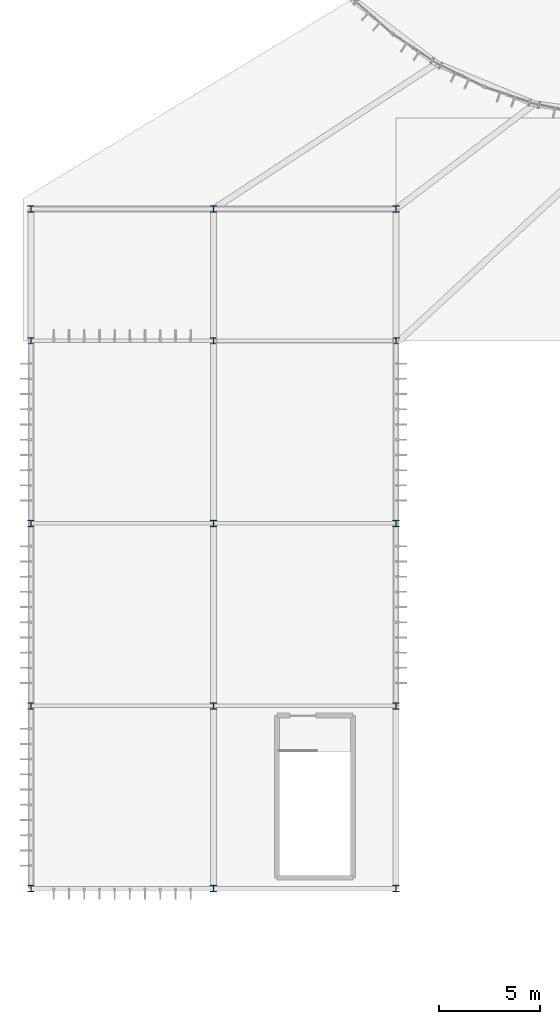
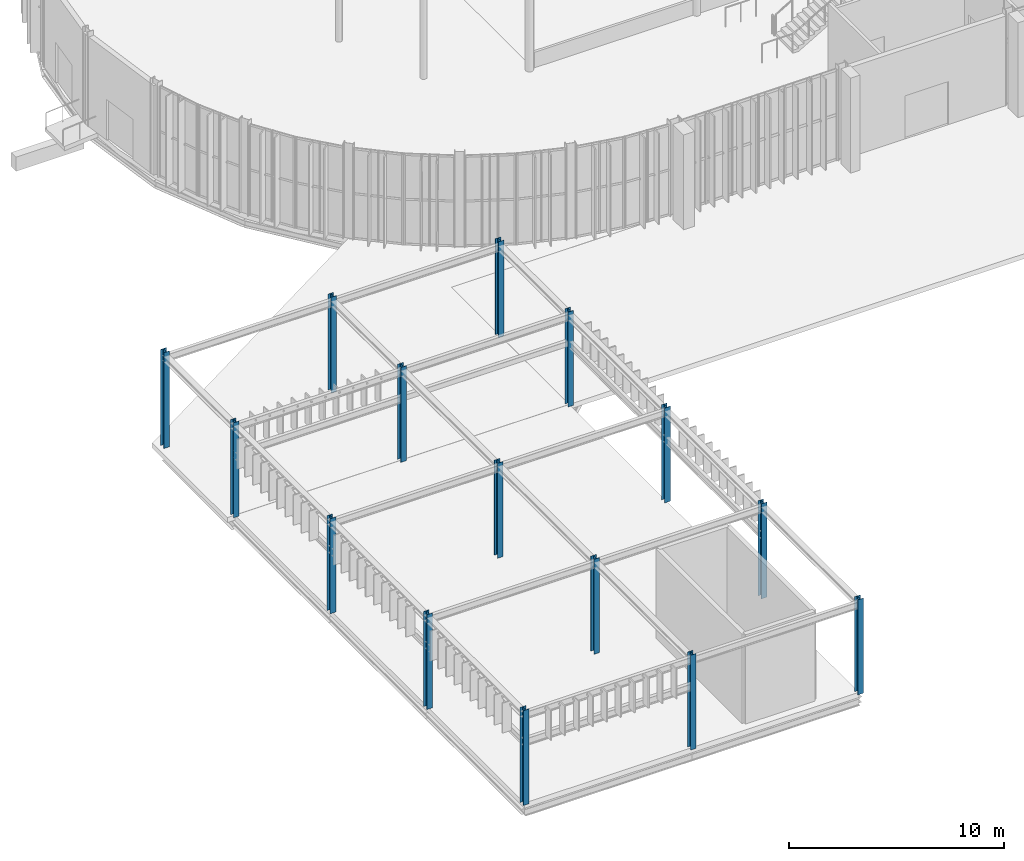
# One storey, part 1 of 158: 15 columns.
"""IFC4 building model written with IfcOpenShell, lengths in metres."""

from ifc_helpers import new_model, si_unit, derived_unit, direction, frame, origin, origin_2d, place, context, subcontext, project, spatial, i_section, extrude, material, material_profile, profile_set, type_object, element, save


model = new_model("IFC4")

# Units and contexts
model_context = context("Model", 3, precision=1e-05, world=origin(), true_north=direction((0.0, 1.0)))
body_context = subcontext(model_context, "Body", "Model", "MODEL_VIEW")
ifc_project = project(units=[si_unit("LENGTHUNIT", "METRE"), si_unit("AREAUNIT", "SQUARE_METRE"), si_unit("VOLUMEUNIT", "CUBIC_METRE"), si_unit("PLANEANGLEUNIT", "RADIAN"), si_unit("MASSUNIT", "GRAM", prefix="KILO"), si_unit("THERMODYNAMICTEMPERATUREUNIT", "KELVIN"), si_unit("TIMEUNIT", "SECOND"), derived_unit("THERMALTRANSMITTANCEUNIT", [(si_unit("MASSUNIT", "GRAM", prefix="KILO"), 1), (si_unit("THERMODYNAMICTEMPERATUREUNIT", "KELVIN"), -1), (si_unit("TIMEUNIT", "SECOND"), -3)])], contexts=[model_context])

# Site, building, storey
site_placement = place(None, origin())
site = spatial("IfcSite", under=ifc_project, at=site_placement, CompositionType="ELEMENT")
building_placement = place(site_placement, origin())
building = spatial("IfcBuilding", under=site, at=building_placement, Name="Cambertide Market Hall", CompositionType="ELEMENT")
storey_placement = place(building_placement, origin())
storey = spatial("IfcBuildingStorey", under=building, at=storey_placement, Name="L01", CompositionType="ELEMENT", Elevation=0.0)

# Columns
ifc_material_1 = material(Name="Steel S355", Category="steel")
ifc_material_profile_1 = material_profile(ifc_material_1, i_section(OverallWidth=0.300048828125, OverallDepth=0.31005859375, WebThickness=0.009033203125, FlangeThickness=0.015380859375, FilletRadius=0.027099609375, at=origin_2d()), Name="HEA 320")
ifc_profile_set_1 = profile_set([ifc_material_profile_1], Name="Steel S355")
column_type_1 = type_object("IfcColumnType", Name="Exterior Steel Column HEA 320", PredefinedType="COLUMN", material=ifc_profile_set_1)
for number, where, z_axis, x_axis, name in (
    (1, (12.0, 14.0, 0.0), (0.0, 0.0, 1.0), (1.0, 0.0, 0.0), "Level 1 Column COL-V2SW-1-1-L01"),
    (2, (12.0, 23.0, 0.0), (0.0, 0.0, 1.0), (1.0, 0.0, 0.0), "Level 1 Column COL-V2SW-1-2-L01"),
    (3, (12.0, 32.0, 0.0), (0.0, 0.0, 1.0), (1.0, 0.0, 0.0), "Level 1 Column COL-V2SW-1-3-L01"),
    (4, (12.0, 41.0, 0.0), (0.0, 0.0, 1.0), (1.0, 0.0, 0.0), "Level 1 Column COL-V2SW-1-4-L01"),
    (5, (21.0, 14.0, 0.0), (0.0, 0.0, 1.0), (1.0, 0.0, 0.0), "Level 1 Column COL-V2SW-2-1-L01"),
    (6, (21.0, 41.0, 0.0), (0.0, 0.0, 1.0), (1.0, 0.0, 0.0), "Level 1 Column COL-V2SW-2-4-L01"),
    (7, (30.0, 14.0, 0.0), (0.0, 0.0, 1.0), (1.0, 0.0, 0.0), "Level 1 Column COL-V2SW-3-1-L01"),
    (8, (30.0, 23.0, 0.0), (0.0, 0.0, 1.0), (1.0, 0.0, 0.0), "Level 1 Column COL-V2SW-3-2-L01"),
    (9, (30.0, 32.0, 0.0), (0.0, 0.0, 1.0), (1.0, 0.0, 0.0), "Level 1 Column COL-V2SW-3-3-L01"),
    (10, (30.0, 41.0, 0.0), (0.0, 0.0, 1.0), (1.0, 0.0, 0.0), "Level 1 Column COL-V2SW-3-4-L01"),
):
    element("IfcColumn", number, at=place(storey_placement, frame(where, z_axis=z_axis, x_axis=x_axis)), inside=storey, type_object=column_type_1, Name=name, PredefinedType="COLUMN", context=body_context, shape_type="SweptSolid", body=[
        extrude(i_section(OverallWidth=0.300048828125, OverallDepth=0.31005859375, WebThickness=0.009033203125, FlangeThickness=0.015380859375, FilletRadius=0.027099609375, at=origin_2d()), origin(), (0.0, 0.0, 1.0), 5.39990234375),
    ])
for number, where, z_axis, x_axis, name in (
    (11, (12.0, 47.5, 0.0), (0.0, 0.0, 1.0), (1.0, 0.0, 0.0), "Level 1 Column COL-V2SW-LNK1-L01"),
    (12, (21.0, 47.5, 0.0), (0.0, 0.0, 1.0), (1.0, 0.0, 0.0), "Level 1 Column COL-V2SW-LNK2-L01"),
    (13, (30.0, 47.5, 0.0), (0.0, 0.0, 1.0), (1.0, 0.0, 0.0), "Level 1 Column COL-V2SW-LNK3-L01"),
):
    element("IfcColumn", number, at=place(storey_placement, frame(where, z_axis=z_axis, x_axis=x_axis)), inside=storey, type_object=column_type_1, Name=name, PredefinedType="COLUMN", context=body_context, shape_type="SweptSolid", body=[
        extrude(i_section(OverallWidth=0.300048828125, OverallDepth=0.31005859375, WebThickness=0.009033203125, FlangeThickness=0.015380859375, FilletRadius=0.027099609375, at=origin_2d()), origin(), (0.0, 0.0, 1.0), 5.449951171875),
    ])
ifc_material_2 = material(Name="Steel S355", Category="steel")
ifc_material_profile_2 = material_profile(ifc_material_2, i_section(OverallWidth=0.300048828125, OverallDepth=0.31005859375, WebThickness=0.009033203125, FlangeThickness=0.015380859375, FilletRadius=0.027099609375, at=origin_2d()), Name="HEA 320")
ifc_profile_set_2 = profile_set([ifc_material_profile_2], Name="Steel S355")
column_type_2 = type_object("IfcColumnType", Name="Steel Column HEA 320", PredefinedType="COLUMN", material=ifc_profile_set_2)
for number, where, z_axis, x_axis, name in (
    (14, (21.0, 23.0, 0.0), (0.0, 0.0, 1.0), (1.0, 0.0, 0.0), "Level 1 Column COL-V2SW-2-2-L01"),
    (15, (21.0, 32.0, 0.0), (0.0, 0.0, 1.0), (1.0, 0.0, 0.0), "Level 1 Column COL-V2SW-2-3-L01"),
):
    element("IfcColumn", number, at=place(storey_placement, frame(where, z_axis=z_axis, x_axis=x_axis)), inside=storey, type_object=column_type_2, Name=name, PredefinedType="COLUMN", context=body_context, shape_type="SweptSolid", body=[
        extrude(i_section(OverallWidth=0.300048828125, OverallDepth=0.31005859375, WebThickness=0.009033203125, FlangeThickness=0.015380859375, FilletRadius=0.027099609375, at=origin_2d()), origin(), (0.0, 0.0, 1.0), 5.39990234375),
    ])

save(model, "model.ifc")
